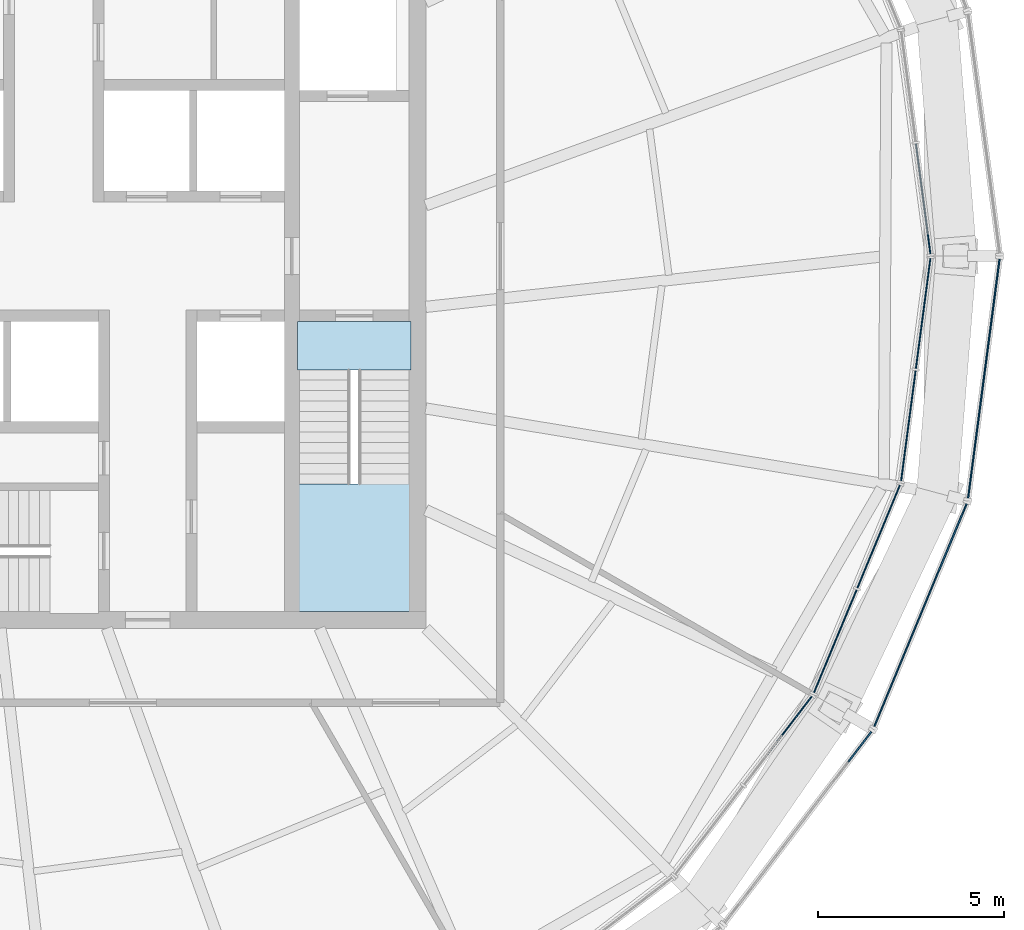
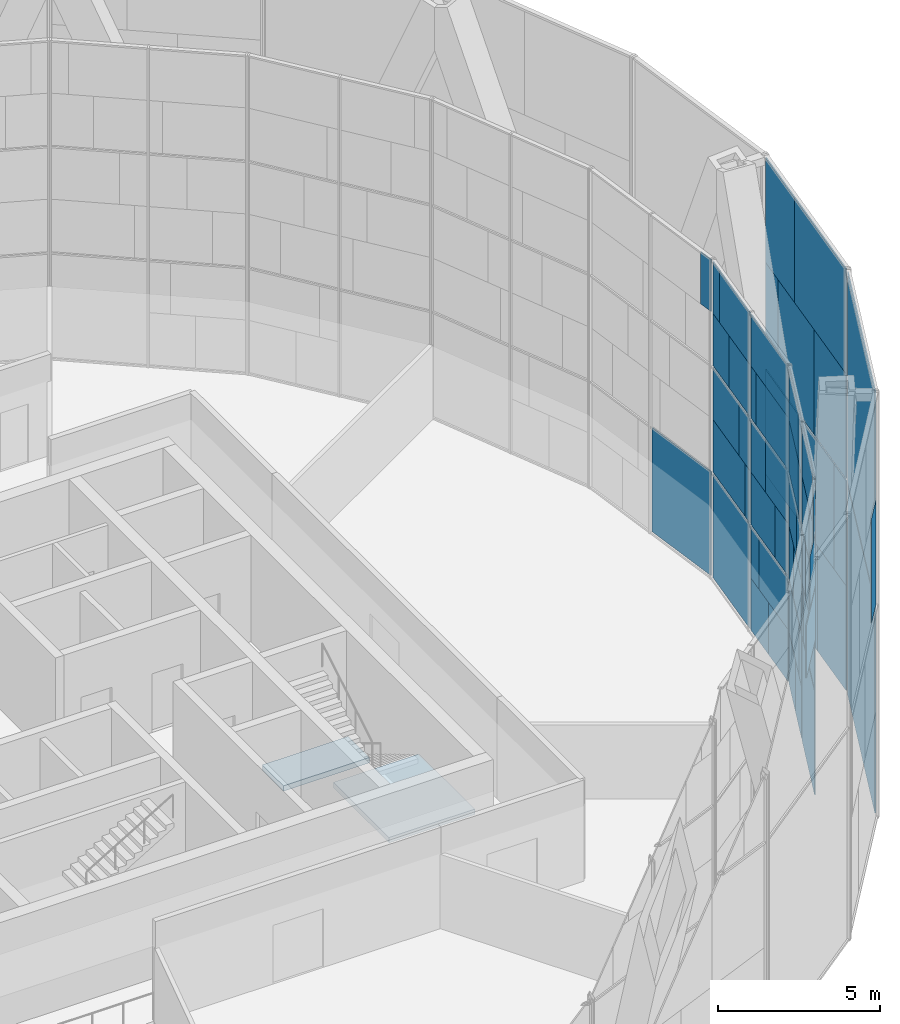
# One storey, part 17 of 26: 58 plates, 2 slabs, 8 elements without a shape of their own.
"""IFC4 building model written with IfcOpenShell, lengths in metres."""

import ifcopenshell
import ifcopenshell.guid

model = None  # the IFC model being written
_history = None  # IfcOwnerHistory: only IFC2X3 demands one
_inside = {}  # id of a spatial element -> (the spatial element, [elements in it])
_under = {}  # id of a project, library or spatial element -> (it, [spatial elements below it])
_declared = {}  # id of a project -> (the project, [libraries it declares])
_typed = {}  # id of a type object -> (the type object, [elements of that type])
_made_of = {}  # id of a material, layer set ... -> (it, [elements and type objects made of it])


def new_model(schema):
    """Start an empty IFC model of exactly this schema.

    Asked for "IFC4X3", IfcOpenShell would pick the latest addendum, in which some entities
    have other attributes; the version numbers below select the first issue.
    IFC2X3 requires an IfcOwnerHistory on every rooted entity: one is made here for all.
    """
    global model, _history
    if schema == "IFC4X3":
        model = ifcopenshell.file(schema_version=(4, 3, 0, 0))
    else:
        model = ifcopenshell.file(schema=schema)
    _inside.clear()
    _under.clear()
    _declared.clear()
    _typed.clear()
    _made_of.clear()
    _history = None
    if model.schema == "IFC2X3":
        org = make("IfcOrganization", Name="unknown")
        user = make(
            "IfcPersonAndOrganization",
            ThePerson=make("IfcPerson", FamilyName="unknown"),
            TheOrganization=org,
        )
        app = make(
            "IfcApplication",
            ApplicationDeveloper=org,
            Version="unknown",
            ApplicationFullName="unknown",
            ApplicationIdentifier="unknown",
        )
        _history = make(
            "IfcOwnerHistory",
            OwningUser=user,
            OwningApplication=app,
            ChangeAction="ADDED",
            CreationDate=0,
        )
    return model


def make(cls, **values):
    """One entity of the class cls with the attributes given. An attribute that is None is left unset."""
    return model.create_entity(
        cls, **{name: value for name, value in values.items() if value is not None}
    )


def rooted(cls, **values):
    """An entity with a GlobalId (a new one), such as an element, a storey or a relation."""
    return make(cls, GlobalId=ifcopenshell.guid.new(), OwnerHistory=_history, **values)


def si_unit(unit_type, name, prefix=None):
    """IfcSIUnit, for example si_unit("LENGTHUNIT", "METRE", prefix="MILLI")."""
    return make("IfcSIUnit", UnitType=unit_type, Prefix=prefix, Name=name)


def assignment(units):
    """IfcUnitAssignment: the units of a project."""
    return None if units is None else make("IfcUnitAssignment", Units=units)


def point(xyz):
    """IfcCartesianPoint."""
    return None if xyz is None else make("IfcCartesianPoint", Coordinates=xyz)


def direction(xyz):
    """IfcDirection."""
    return None if xyz is None else make("IfcDirection", DirectionRatios=xyz)


def frame(location, z_axis=None, x_axis=None):
    """IfcAxis2Placement3D, a coordinate frame: its origin and axes. An axis left out is left unset."""
    return make(
        "IfcAxis2Placement3D",
        Location=point(location),
        Axis=direction(z_axis),
        RefDirection=direction(x_axis),
    )


def frame_2d(location, x_axis=None):
    """IfcAxis2Placement2D, a coordinate frame in the plane: its origin and x axis."""
    return make(
        "IfcAxis2Placement2D", Location=point(location), RefDirection=direction(x_axis)
    )


def origin():
    """The frame at (0, 0, 0) with its axes left unset."""
    return frame((0.0, 0.0, 0.0))


def origin_2d():
    """The frame at (0, 0) in the plane with its x axis left unset."""
    return frame_2d((0.0, 0.0))


def place(relative_to, where):
    """IfcLocalPlacement: puts the frame where relative to a parent placement (None: the world)."""
    return make(
        "IfcLocalPlacement", PlacementRelTo=relative_to, RelativePlacement=where
    )


def context(
    kind, dimensions, precision=None, world=None, true_north=None, identifier=None
):
    """IfcGeometricRepresentationContext, for example the 3D "Model" context."""
    return make(
        "IfcGeometricRepresentationContext",
        ContextIdentifier=identifier,
        ContextType=kind,
        CoordinateSpaceDimension=dimensions,
        Precision=precision,
        WorldCoordinateSystem=world,
        TrueNorth=true_north,
    )


def subcontext(parent, identifier, kind, view, scale=None):
    """IfcGeometricRepresentationSubContext, for example "Body" below "Model"."""
    return make(
        "IfcGeometricRepresentationSubContext",
        ContextIdentifier=identifier,
        ContextType=kind,
        ParentContext=parent,
        TargetScale=scale,
        TargetView=view,
    )


def project(units=None, contexts=None):
    """IfcProject with its units and contexts."""
    return rooted(
        "IfcProject",
        Name="project",
        RepresentationContexts=contexts,
        UnitsInContext=assignment(units),
    )


def spatial(cls, under=None, at=None, **own):
    """A site, building, storey or space (cls), placed at a placement, below another one or the project."""
    s = rooted(cls, ObjectPlacement=at, **own)
    if under is not None:
        _under.setdefault(under.id(), (under, []))[1].append(s)
    return s


def polyline(points):
    """IfcPolyline through the points."""
    return make("IfcPolyline", Points=[point(p) for p in points])


def profile(cls, at=None, kind="AREA", **sizes):
    """A parametric profile (cls). Its sizes go by their IFC names, for example OverallWidth=200.0."""
    return make(cls, ProfileType=kind, Position=at, **sizes)


def rectangle(**sizes):
    """IfcRectangleProfileDef."""
    return profile("IfcRectangleProfileDef", **sizes)


def outline(outer, holes=None, kind="AREA"):
    """IfcArbitraryClosedProfileDef: a profile drawn as a closed curve; with holes, ...WithVoids."""
    if holes is None:
        return make("IfcArbitraryClosedProfileDef", ProfileType=kind, OuterCurve=outer)
    return make(
        "IfcArbitraryProfileDefWithVoids",
        ProfileType=kind,
        OuterCurve=outer,
        InnerCurves=holes,
    )


def extrude(swept, where, along, depth):
    """IfcExtrudedAreaSolid: the profile swept, set in the frame where, extruded along a direction by depth."""
    return make(
        "IfcExtrudedAreaSolid",
        SweptArea=swept,
        Position=where,
        ExtrudedDirection=direction(along),
        Depth=depth,
    )


def shape(context_of_items, identifier, shape_type, items):
    """IfcShapeRepresentation: the items that make up one representation, for example the "Body"."""
    return make(
        "IfcShapeRepresentation",
        ContextOfItems=context_of_items,
        RepresentationIdentifier=identifier,
        RepresentationType=shape_type,
        Items=items,
    )


def material(Name=None, Category=None):
    """IfcMaterial."""
    return make("IfcMaterial", Name=Name, Category=Category)


def layer(
    of_material, thickness, ventilated=None, Name=None, Category=None, Priority=None
):
    """IfcMaterialLayer: one layer of a wall or slab, of a material (None: an air gap)."""
    return make(
        "IfcMaterialLayer",
        Material=of_material,
        LayerThickness=thickness,
        IsVentilated=ventilated,
        Name=Name,
        Category=Category,
        Priority=Priority,
    )


def layer_set(layers, Name=None):
    """IfcMaterialLayerSet."""
    return make("IfcMaterialLayerSet", MaterialLayers=layers, LayerSetName=Name)


def made_of(thing, what):
    """Note that an element or type object is made of a material, layer set ...; save() writes the relation."""
    if what is not None:
        _made_of.setdefault(what.id(), (what, []))[1].append(thing)
    return thing


def type_object(cls, material=None, **own):
    """A type object (cls), such as IfcWallType, which elements share."""
    return made_of(rooted(cls, **own), material)


def element(
    cls,
    number,
    at=None,
    inside=None,
    cuts=None,
    type_object=None,
    material=None,
    context=None,
    identifier="Body",
    shape_type=None,
    held_by="IfcProductDefinitionShape",
    body=None,
    shapes=None,
    **own,
):
    """One element of the class cls, such as IfcWall. Its Tag is "e" and its number.

    at: its placement. inside: the storey or other place that contains it. cuts: it is an
    opening in that element (IfcRelVoidsElement). A single representation is given by context,
    identifier, shape_type and body (its items); several are given by shapes. held_by: the class
    of the entity that holds the representations. save() writes the other relations.
    """
    e = rooted(cls, Tag="e%d" % number, ObjectPlacement=at, **own)
    if body is not None:
        shapes = [shape(context, identifier, shape_type, body)]
    if shapes is not None:
        e.Representation = make(held_by, Representations=shapes)
    if inside is not None:
        _inside.setdefault(inside.id(), (inside, []))[1].append(e)
    if cuts is not None:
        rooted(
            "IfcRelVoidsElement", RelatingBuildingElement=cuts, RelatedOpeningElement=e
        )
    if type_object is not None:
        _typed.setdefault(type_object.id(), (type_object, []))[1].append(e)
    return made_of(e, material)


def aggregate(whole, parts):
    """IfcRelAggregates: a whole, such as a stair, and the parts it consists of."""
    return rooted("IfcRelAggregates", RelatingObject=whole, RelatedObjects=parts)


def save(model, path):
    """Write the relations noted so far, then the file.

    IfcRelAggregates (storeys below a building ...), IfcRelContainedInSpatialStructure (elements
    in a storey), IfcRelDefinesByType, IfcRelAssociatesMaterial and IfcRelDeclares: one each for
    every whole, place, type object, material and project.
    """
    for whole, parts in _under.values():
        aggregate(whole, parts)
    for where, things in _inside.values():
        rooted(
            "IfcRelContainedInSpatialStructure",
            RelatedElements=things,
            RelatingStructure=where,
        )
    for kind, things in _typed.values():
        rooted("IfcRelDefinesByType", RelatedObjects=things, RelatingType=kind)
    for what, things in _made_of.values():
        rooted("IfcRelAssociatesMaterial", RelatedObjects=things, RelatingMaterial=what)
    for by, libraries in _declared.values():
        rooted("IfcRelDeclares", RelatingContext=by, RelatedDefinitions=libraries)
    model.write(path)


model = new_model("IFC4")

# Units and contexts
model_context = context("Model", 3, precision=1e-05, world=origin(), true_north=direction((0.0, 1.0)))
body_context = subcontext(model_context, "Body", "Model", "MODEL_VIEW")
ifc_project = project(units=[si_unit("LENGTHUNIT", "METRE"), si_unit("AREAUNIT", "SQUARE_METRE"), si_unit("VOLUMEUNIT", "CUBIC_METRE"), si_unit("PLANEANGLEUNIT", "RADIAN"), si_unit("MASSUNIT", "GRAM", prefix="KILO")], contexts=[model_context])

# Site, building, storey
site_placement = place(None, origin())
site = spatial("IfcSite", under=ifc_project, at=site_placement, CompositionType="ELEMENT")
building_placement = place(site_placement, origin())
building = spatial("IfcBuilding", under=site, at=building_placement, Name="Golbaran Civic Tower", CompositionType="ELEMENT")
storey_placement = place(building_placement, frame((0.0, 0.0, 199.0)))
storey = spatial("IfcBuildingStorey", under=building, at=storey_placement, Name="L48", CompositionType="ELEMENT", Elevation=199.0)

# Curtain wall, plates
ifc_material_1 = material(Name="Aluminium and glass", Category="aluminium")
curtain_wall_type_1 = type_object("IfcCurtainWallType", Name="INNER SKIN CURTAIN WALL EXECUTIVE", PredefinedType="NOTDEFINED", material=ifc_material_1)
curtain_wall_1_placement = place(storey_placement, origin())
curtain_wall_1 = element("IfcCurtainWall", 1, at=curtain_wall_1_placement, inside=storey, type_object=curtain_wall_type_1, Name="Inner skin L48 facet 1 CW2", ObjectType="INNER SKIN", PredefinedType="USERDEFINED")
ifc_material_2 = material(Name="Clear insulating glass", Category="glass")
ifc_layer_1 = layer(ifc_material_2, 0.031982421875, Name="Clear insulating glass")
ifc_layer_set_1 = layer_set([ifc_layer_1], Name="Clear insulating glass")
plate_type_1 = type_object("IfcPlateType", Name="INNER SKIN CURTAIN WALL EXECUTIVE GLAZED PANEL", PredefinedType="CURTAIN_PANEL", material=ifc_layer_set_1)
plate_1_placement = place(storey_placement, frame((23.3642578125, 1.539794921875, 0.06005859375), z_axis=(0.0, 0.0, 1.0), x_axis=(-0.130526192237, 0.991444861372, 0.0)))
plate_1 = element("IfcPlate", 2, at=plate_1_placement, type_object=plate_type_1, Name="CW2 panel 1.1", PredefinedType="CURTAIN_PANEL", context=body_context, shape_type="SweptSolid", body=[
    extrude(rectangle(XDim=2.986083984375, YDim=0.031982421875, at=origin_2d()), origin(), (0.0, 0.0, 1.0), 3.909912109375),
])
plate_2_placement = place(storey_placement, frame((23.52490234375, 0.31982421875, 9.98486328125), z_axis=(0.0, 0.0, 1.0), x_axis=(-0.130526192237, 0.991444861372, 0.0)))
plate_2 = element("IfcPlate", 3, at=plate_2_placement, type_object=plate_type_1, Name="CW2 panel 1.3 part 3", PredefinedType="CURTAIN_PANEL", context=body_context, shape_type="SweptSolid", body=[
    extrude(rectangle(XDim=0.52490234375, YDim=0.031982421875, at=origin_2d()), origin(), (0.0, 0.0, 1.0), 1.955078125),
])
aggregate(curtain_wall_1, [plate_1, plate_2])

curtain_wall_2_placement = place(storey_placement, origin())
curtain_wall_2 = element("IfcCurtainWall", 4, at=curtain_wall_2_placement, inside=storey, type_object=curtain_wall_type_1, Name="Inner skin L48 facet 22 CW2", ObjectType="INNER SKIN", PredefinedType="USERDEFINED")
plate_3_placement = place(storey_placement, frame((19.731689453125, -12.6669921875, 6.0), z_axis=(0.0, 0.0, 1.0), x_axis=(0.60876142905, 0.793353340259, 0.0)))
plate_3 = element("IfcPlate", 5, at=plate_3_placement, type_object=plate_type_1, Name="CW2 panel 2.2 part 4", PredefinedType="CURTAIN_PANEL", context=body_context, shape_type="SweptSolid", body=[
    extrude(rectangle(XDim=2.107177734375, YDim=0.031982421875, at=origin_2d()), origin(), (0.0, 0.0, 1.0), 1.969970703125),
])
plate_4_placement = place(storey_placement, frame((19.97607421875, -12.348388671875, 8.030029296875), z_axis=(0.0, 0.0, 1.0), x_axis=(0.60876142905, 0.793353340259, 0.0)))
plate_4 = element("IfcPlate", 6, at=plate_4_placement, type_object=plate_type_1, Name="CW2 panel 2.3 part 2", PredefinedType="CURTAIN_PANEL", context=body_context, shape_type="SweptSolid", body=[
    extrude(rectangle(XDim=1.30419921875, YDim=0.031982421875, at=origin_2d()), origin(), (0.0, 0.0, 1.0), 1.955078125),
])
plate_5_placement = place(storey_placement, frame((20.21337890625, -12.039306640625, 9.98486328125), z_axis=(0.0, 0.0, 1.0), x_axis=(0.60876142905, 0.793353340259, 0.0)))
plate_5 = element("IfcPlate", 7, at=plate_5_placement, type_object=plate_type_1, Name="CW2 panel 2.3 part 4", PredefinedType="CURTAIN_PANEL", context=body_context, shape_type="SweptSolid", body=[
    extrude(rectangle(XDim=0.525146484375, YDim=0.031982421875, at=origin_2d()), origin(), (0.0, 0.0, 1.0), 1.955078125),
])
aggregate(curtain_wall_2, [plate_3, plate_4, plate_5])

curtain_wall_3_placement = place(storey_placement, origin())
curtain_wall_3 = element("IfcCurtainWall", 8, at=curtain_wall_3_placement, inside=storey, type_object=curtain_wall_type_1, Name="Inner skin L48 facet 23 CW2", ObjectType="INNER SKIN", PredefinedType="USERDEFINED")
plate_6_placement = place(storey_placement, frame((21.00390625, -10.3486328125, 0.06005859375), z_axis=(0.0, 0.0, 1.0), x_axis=(0.382683432349, 0.923879532518, 0.0)))
plate_6 = element("IfcPlate", 9, at=plate_6_placement, type_object=plate_type_1, Name="CW2 panel 1.1", PredefinedType="CURTAIN_PANEL", context=body_context, shape_type="SweptSolid", body=[
    extrude(rectangle(XDim=2.986083984375, YDim=0.031982421875, at=origin_2d()), origin(), (0.0, 0.0, 1.0), 3.909912109375),
])
plate_7_placement = place(storey_placement, frame((20.92724609375, -10.533935546875, 4.02978515625), z_axis=(0.0, 0.0, 1.0), x_axis=(0.382683432349, 0.923879532518, 0.0)))
plate_7 = element("IfcPlate", 10, at=plate_7_placement, type_object=plate_type_1, Name="CW2 panel 1.2 part 1", PredefinedType="CURTAIN_PANEL", context=body_context, shape_type="SweptSolid", body=[
    extrude(rectangle(XDim=2.5849609375, YDim=0.031982421875, at=origin_2d()), origin(), (0.0, 0.0, 1.0), 1.969970703125),
])
plate_8_placement = place(storey_placement, frame((20.835693359375, -10.754638671875, 6.0), z_axis=(0.0, 0.0, 1.0), x_axis=(0.382683432349, 0.923879532518, 0.0)))
plate_8 = element("IfcPlate", 11, at=plate_8_placement, type_object=plate_type_1, Name="CW2 panel 1.2 part 3", PredefinedType="CURTAIN_PANEL", context=body_context, shape_type="SweptSolid", body=[
    extrude(rectangle(XDim=2.10693359375, YDim=0.031982421875, at=origin_2d()), origin(), (0.0, 0.0, 1.0), 1.969970703125),
])
plate_9_placement = place(storey_placement, frame((20.68212890625, -11.125732421875, 8.030029296875), z_axis=(0.0, 0.0, 1.0), x_axis=(0.382683432349, 0.923879532518, 0.0)))
plate_9 = element("IfcPlate", 12, at=plate_9_placement, type_object=plate_type_1, Name="CW2 panel 1.3 part 1", PredefinedType="CURTAIN_PANEL", context=body_context, shape_type="SweptSolid", body=[
    extrude(rectangle(XDim=1.303955078125, YDim=0.031982421875, at=origin_2d()), origin(), (0.0, 0.0, 1.0), 1.955078125),
])
plate_10_placement = place(storey_placement, frame((20.532958984375, -11.485595703125, 9.98486328125), z_axis=(0.0, 0.0, 1.0), x_axis=(0.382683432349, 0.923879532518, 0.0)))
plate_10 = element("IfcPlate", 13, at=plate_10_placement, type_object=plate_type_1, Name="CW2 panel 1.3 part 3", PredefinedType="CURTAIN_PANEL", context=body_context, shape_type="SweptSolid", body=[
    extrude(rectangle(XDim=0.52490234375, YDim=0.031982421875, at=origin_2d()), origin(), (0.0, 0.0, 1.0), 1.955078125),
])
plate_11_placement = place(storey_placement, frame((21.87255859375, -8.251953125, 0.06005859375), z_axis=(0.0, 0.0, 1.0), x_axis=(0.382683432349, 0.923879532518, 0.0)))
plate_11 = element("IfcPlate", 14, at=plate_11_placement, type_object=plate_type_1, Name="CW2 panel 2.1 part 1", PredefinedType="CURTAIN_PANEL", context=body_context, shape_type="SweptSolid", body=[
    extrude(rectangle(XDim=1.43310546875, YDim=0.031982421875, at=origin_2d()), origin(), (0.0, 0.0, 1.0), 1.955078125),
])
plate_12_placement = place(storey_placement, frame((21.723388671875, -8.61181640625, 2.014892578125), z_axis=(0.0, 0.0, 1.0), x_axis=(0.382683432349, 0.923879532518, 0.0)))
plate_12 = element("IfcPlate", 15, at=plate_12_placement, type_object=plate_type_1, Name="CW2 panel 2.1 part 3", PredefinedType="CURTAIN_PANEL", context=body_context, shape_type="SweptSolid", body=[
    extrude(rectangle(XDim=0.654052734375, YDim=0.031982421875, at=origin_2d()), origin(), (0.0, 0.0, 1.0), 1.955078125),
])
plate_13_placement = place(storey_placement, frame((22.54248046875, -6.634033203125, 4.02978515625), z_axis=(0.0, 0.0, 1.0), x_axis=(0.382683432349, 0.923879532518, 0.0)))
plate_13 = element("IfcPlate", 16, at=plate_13_placement, type_object=plate_type_1, Name="CW2 panel 2.2 part 2", PredefinedType="CURTAIN_PANEL", context=body_context, shape_type="SweptSolid", body=[
    extrude(rectangle(XDim=1.037109375, YDim=0.031982421875, at=origin_2d()), origin(), (0.0, 0.0, 1.0), 1.969970703125),
])
plate_14_placement = place(storey_placement, frame((22.392333984375, -6.996826171875, 6.0), z_axis=(0.0, 0.0, 1.0), x_axis=(0.382683432349, 0.923879532518, 0.0)))
plate_14 = element("IfcPlate", 17, at=plate_14_placement, type_object=plate_type_1, Name="CW2 panel 2.2 part 4", PredefinedType="CURTAIN_PANEL", context=body_context, shape_type="SweptSolid", body=[
    extrude(rectangle(XDim=1.822021484375, YDim=0.031982421875, at=origin_2d()), origin(), (0.0, 0.0, 1.0), 1.969970703125),
])
plate_15_placement = place(storey_placement, frame((22.24609375, -7.349609375, 8.030029296875), z_axis=(0.0, 0.0, 1.0), x_axis=(0.382683432349, 0.923879532518, 0.0)))
plate_15 = element("IfcPlate", 18, at=plate_15_placement, type_object=plate_type_1, Name="CW2 panel 2.3 part 2", PredefinedType="CURTAIN_PANEL", context=body_context, shape_type="SweptSolid", body=[
    extrude(rectangle(XDim=2.586181640625, YDim=0.031982421875, at=origin_2d()), origin(), (0.0, 0.0, 1.0), 1.955078125),
])
plate_16_placement = place(storey_placement, frame((22.169677734375, -7.534423828125, 9.98486328125), z_axis=(0.0, 0.0, 1.0), x_axis=(0.382683432349, 0.923879532518, 0.0)))
plate_16 = element("IfcPlate", 19, at=plate_16_placement, type_object=plate_type_1, Name="CW2 panel 2.3 part 3", PredefinedType="CURTAIN_PANEL", context=body_context, shape_type="SweptSolid", body=[
    extrude(rectangle(XDim=2.986083984375, YDim=0.031982421875, at=origin_2d()), origin(), (0.0, 0.0, 1.0), 1.955078125),
])

curtain_wall_4_placement = place(storey_placement, origin())
curtain_wall_4 = element("IfcCurtainWall", 20, at=curtain_wall_4_placement, inside=storey, type_object=curtain_wall_type_1, Name="Inner skin L48 facet 24 CW2", ObjectType="INNER SKIN", PredefinedType="USERDEFINED")
plate_17_placement = place(storey_placement, frame((23.068115234375, -3.7900390625, 0.06005859375), z_axis=(0.0, 0.0, 1.0), x_axis=(0.130526192237, 0.991444861372, 0.0)))
plate_17 = element("IfcPlate", 21, at=plate_17_placement, type_object=plate_type_1, Name="CW2 panel 1.1 part 2", PredefinedType="CURTAIN_PANEL", context=body_context, shape_type="SweptSolid", body=[
    extrude(rectangle(XDim=1.43310546875, YDim=0.031982421875, at=origin_2d()), origin(), (0.0, 0.0, 1.0), 1.955078125),
])
plate_18_placement = place(storey_placement, frame((23.118896484375, -3.40380859375, 2.014892578125), z_axis=(0.0, 0.0, 1.0), x_axis=(0.130526192237, 0.991444861372, 0.0)))
plate_18 = element("IfcPlate", 22, at=plate_18_placement, type_object=plate_type_1, Name="CW2 panel 1.1 part 4", PredefinedType="CURTAIN_PANEL", context=body_context, shape_type="SweptSolid", body=[
    extrude(rectangle(XDim=0.654052734375, YDim=0.031982421875, at=origin_2d()), origin(), (0.0, 0.0, 1.0), 1.955078125),
])
plate_19_placement = place(storey_placement, frame((22.839599609375, -5.526123046875, 4.02978515625), z_axis=(0.0, 0.0, 1.0), x_axis=(0.130526192237, 0.991444861372, 0.0)))
plate_19 = element("IfcPlate", 23, at=plate_19_placement, type_object=plate_type_1, Name="CW2 panel 1.2 part 1", PredefinedType="CURTAIN_PANEL", context=body_context, shape_type="SweptSolid", body=[
    extrude(rectangle(XDim=1.037109375, YDim=0.031982421875, at=origin_2d()), origin(), (0.0, 0.0, 1.0), 1.969970703125),
])
plate_20_placement = place(storey_placement, frame((22.890625, -5.136962890625, 6.0), z_axis=(0.0, 0.0, 1.0), x_axis=(0.130526192237, 0.991444861372, 0.0)))
plate_20 = element("IfcPlate", 24, at=plate_20_placement, type_object=plate_type_1, Name="CW2 panel 1.2 part 3", PredefinedType="CURTAIN_PANEL", context=body_context, shape_type="SweptSolid", body=[
    extrude(rectangle(XDim=1.822021484375, YDim=0.031982421875, at=origin_2d()), origin(), (0.0, 0.0, 1.0), 1.969970703125),
])
plate_21_placement = place(storey_placement, frame((22.9404296875, -4.758544921875, 8.030029296875), z_axis=(0.0, 0.0, 1.0), x_axis=(0.130526192237, 0.991444861372, 0.0)))
plate_21 = element("IfcPlate", 25, at=plate_21_placement, type_object=plate_type_1, Name="CW2 panel 1.3 part 1", PredefinedType="CURTAIN_PANEL", context=body_context, shape_type="SweptSolid", body=[
    extrude(rectangle(XDim=2.5849609375, YDim=0.031982421875, at=origin_2d()), origin(), (0.0, 0.0, 1.0), 1.955078125),
])
plate_22_placement = place(storey_placement, frame((22.966796875, -4.559814453125, 9.98486328125), z_axis=(0.0, 0.0, 1.0), x_axis=(0.130526192237, 0.991444861372, 0.0)))
plate_22 = element("IfcPlate", 26, at=plate_22_placement, type_object=plate_type_1, Name="CW2 panel 1.3 part 3", PredefinedType="CURTAIN_PANEL", context=body_context, shape_type="SweptSolid", body=[
    extrude(rectangle(XDim=2.986083984375, YDim=0.031982421875, at=origin_2d()), origin(), (0.0, 0.0, 1.0), 1.955078125),
])
plate_23_placement = place(storey_placement, frame((23.3642578125, -1.539794921875, 0.06005859375), z_axis=(0.0, 0.0, 1.0), x_axis=(0.130526192237, 0.991444861372, 0.0)))
plate_23 = element("IfcPlate", 27, at=plate_23_placement, type_object=plate_type_1, Name="CW2 panel 2.1", PredefinedType="CURTAIN_PANEL", context=body_context, shape_type="SweptSolid", body=[
    extrude(rectangle(XDim=2.986083984375, YDim=0.031982421875, at=origin_2d()), origin(), (0.0, 0.0, 1.0), 3.909912109375),
])
plate_24_placement = place(storey_placement, frame((23.390380859375, -1.341552734375, 4.02978515625), z_axis=(0.0, 0.0, 1.0), x_axis=(0.130526192237, 0.991444861372, 0.0)))
plate_24 = element("IfcPlate", 28, at=plate_24_placement, type_object=plate_type_1, Name="CW2 panel 2.2 part 2", PredefinedType="CURTAIN_PANEL", context=body_context, shape_type="SweptSolid", body=[
    extrude(rectangle(XDim=2.586181640625, YDim=0.031982421875, at=origin_2d()), origin(), (0.0, 0.0, 1.0), 1.969970703125),
])
plate_25_placement = place(storey_placement, frame((23.421630859375, -1.10400390625, 6.0), z_axis=(0.0, 0.0, 1.0), x_axis=(0.130526192237, 0.991444861372, 0.0)))
plate_25 = element("IfcPlate", 29, at=plate_25_placement, type_object=plate_type_1, Name="CW2 panel 2.2 part 4", PredefinedType="CURTAIN_PANEL", context=body_context, shape_type="SweptSolid", body=[
    extrude(rectangle(XDim=2.107177734375, YDim=0.031982421875, at=origin_2d()), origin(), (0.0, 0.0, 1.0), 1.969970703125),
])
plate_26_placement = place(storey_placement, frame((23.47412109375, -0.7060546875, 8.030029296875), z_axis=(0.0, 0.0, 1.0), x_axis=(0.130526192237, 0.991444861372, 0.0)))
plate_26 = element("IfcPlate", 30, at=plate_26_placement, type_object=plate_type_1, Name="CW2 panel 2.3 part 2", PredefinedType="CURTAIN_PANEL", context=body_context, shape_type="SweptSolid", body=[
    extrude(rectangle(XDim=1.30419921875, YDim=0.031982421875, at=origin_2d()), origin(), (0.0, 0.0, 1.0), 1.955078125),
])
plate_27_placement = place(storey_placement, frame((23.52490234375, -0.31982421875, 9.98486328125), z_axis=(0.0, 0.0, 1.0), x_axis=(0.130526192237, 0.991444861372, 0.0)))
plate_27 = element("IfcPlate", 31, at=plate_27_placement, type_object=plate_type_1, Name="CW2 panel 2.3 part 4", PredefinedType="CURTAIN_PANEL", context=body_context, shape_type="SweptSolid", body=[
    extrude(rectangle(XDim=0.525146484375, YDim=0.031982421875, at=origin_2d()), origin(), (0.0, 0.0, 1.0), 1.955078125),
])

# Plate
ifc_material_3 = material(Name="Aluminium faced opaque infill panel", Category="aluminium")
ifc_layer_2 = layer(ifc_material_3, 0.031982421875, Name="Aluminium faced opaque infill panel")
ifc_layer_set_2 = layer_set([ifc_layer_2], Name="Aluminium faced opaque infill panel")
plate_type_2 = type_object("IfcPlateType", Name="INNER SKIN CURTAIN WALL EXECUTIVE OPAQUE INFILL PANEL", PredefinedType="CURTAIN_PANEL", material=ifc_layer_set_2)
plate_28_placement = place(storey_placement, frame((21.49853515625, -9.154541015625, 4.02978515625), z_axis=(0.0, 0.0, 1.0), x_axis=(0.382683432349, 0.923879532518, 0.0)))
plate_28 = element("IfcPlate", 32, at=plate_28_placement, type_object=plate_type_2, Name="CW2 infill panel 1.2 part 2", PredefinedType="CURTAIN_PANEL", context=body_context, shape_type="SweptSolid", body=[
    extrude(rectangle(XDim=0.401123046875, YDim=0.031982421875, at=origin_2d()), origin(), (0.0, 0.0, 1.0), 1.969970703125),
])

plate_29_placement = place(storey_placement, frame((21.4072265625, -9.375244140625, 6.0), z_axis=(0.0, 0.0, 1.0), x_axis=(0.382683432349, 0.923879532518, 0.0)))
plate_29 = element("IfcPlate", 33, at=plate_29_placement, type_object=plate_type_2, Name="CW2 infill panel 1.2 part 4", PredefinedType="CURTAIN_PANEL", context=body_context, shape_type="SweptSolid", body=[
    extrude(rectangle(XDim=0.879150390625, YDim=0.031982421875, at=origin_2d()), origin(), (0.0, 0.0, 1.0), 1.969970703125),
])

plate_30_placement = place(storey_placement, frame((21.25341796875, -9.746337890625, 8.030029296875), z_axis=(0.0, 0.0, 1.0), x_axis=(0.382683432349, 0.923879532518, 0.0)))
plate_30 = element("IfcPlate", 34, at=plate_30_placement, type_object=plate_type_2, Name="CW2 infill panel 1.3 part 2", PredefinedType="CURTAIN_PANEL", context=body_context, shape_type="SweptSolid", body=[
    extrude(rectangle(XDim=1.68212890625, YDim=0.031982421875, at=origin_2d()), origin(), (0.0, 0.0, 1.0), 1.955078125),
])

plate_31_placement = place(storey_placement, frame((21.1044921875, -10.106201171875, 9.98486328125), z_axis=(0.0, 0.0, 1.0), x_axis=(0.382683432349, 0.923879532518, 0.0)))
plate_31 = element("IfcPlate", 35, at=plate_31_placement, type_object=plate_type_2, Name="CW2 infill panel 1.3 part 4", PredefinedType="CURTAIN_PANEL", context=body_context, shape_type="SweptSolid", body=[
    extrude(rectangle(XDim=2.461181640625, YDim=0.031982421875, at=origin_2d()), origin(), (0.0, 0.0, 1.0), 1.955078125),
])

plate_32_placement = place(storey_placement, frame((22.44384765625, -6.87255859375, 0.06005859375), z_axis=(0.0, 0.0, 1.0), x_axis=(0.382683432349, 0.923879532518, 0.0)))
plate_32 = element("IfcPlate", 36, at=plate_32_placement, type_object=plate_type_2, Name="CW2 infill panel 2.1 part 2", PredefinedType="CURTAIN_PANEL", context=body_context, shape_type="SweptSolid", body=[
    extrude(rectangle(XDim=1.55322265625, YDim=0.031982421875, at=origin_2d()), origin(), (0.0, 0.0, 1.0), 1.955078125),
])

plate_33_placement = place(storey_placement, frame((22.294677734375, -7.232421875, 2.014892578125), z_axis=(0.0, 0.0, 1.0), x_axis=(0.382683432349, 0.923879532518, 0.0)))
plate_33 = element("IfcPlate", 37, at=plate_33_placement, type_object=plate_type_2, Name="CW2 infill panel 2.1 part 4", PredefinedType="CURTAIN_PANEL", context=body_context, shape_type="SweptSolid", body=[
    extrude(rectangle(XDim=2.33203125, YDim=0.031982421875, at=origin_2d()), origin(), (0.0, 0.0, 1.0), 1.955078125),
])

plate_34_placement = place(storey_placement, frame((21.97119140625, -8.013427734375, 4.02978515625), z_axis=(0.0, 0.0, 1.0), x_axis=(0.382683432349, 0.923879532518, 0.0)))
plate_34 = element("IfcPlate", 38, at=plate_34_placement, type_object=plate_type_2, Name="CW2 infill panel 2.2 part 1", PredefinedType="CURTAIN_PANEL", context=body_context, shape_type="SweptSolid", body=[
    extrude(rectangle(XDim=1.948974609375, YDim=0.031982421875, at=origin_2d()), origin(), (0.0, 0.0, 1.0), 1.969970703125),
])

plate_35_placement = place(storey_placement, frame((21.821044921875, -8.376220703125, 6.0), z_axis=(0.0, 0.0, 1.0), x_axis=(0.382683432349, 0.923879532518, 0.0)))
plate_35 = element("IfcPlate", 39, at=plate_35_placement, type_object=plate_type_2, Name="CW2 infill panel 2.2 part 3", PredefinedType="CURTAIN_PANEL", context=body_context, shape_type="SweptSolid", body=[
    extrude(rectangle(XDim=1.1640625, YDim=0.031982421875, at=origin_2d()), origin(), (0.0, 0.0, 1.0), 1.969970703125),
])

plate_36_placement = place(storey_placement, frame((21.6748046875, -8.72900390625, 8.030029296875), z_axis=(0.0, 0.0, 1.0), x_axis=(0.382683432349, 0.923879532518, 0.0)))
plate_36 = element("IfcPlate", 40, at=plate_36_placement, type_object=plate_type_2, Name="CW2 infill panel 2.3 part 1", PredefinedType="CURTAIN_PANEL", context=body_context, shape_type="SweptSolid", body=[
    extrude(rectangle(XDim=0.39990234375, YDim=0.031982421875, at=origin_2d()), origin(), (0.0, 0.0, 1.0), 1.955078125),
])

aggregate(curtain_wall_3, [plate_6, plate_7, plate_28, plate_8, plate_29, plate_9, plate_30, plate_10, plate_31, plate_11, plate_32, plate_12, plate_33, plate_34, plate_13, plate_35, plate_14, plate_36, plate_15, plate_16])

plate_37_placement = place(storey_placement, frame((22.873046875, -5.270263671875, 0.06005859375), z_axis=(0.0, 0.0, 1.0), x_axis=(0.130526192237, 0.991444861372, 0.0)))
plate_37 = element("IfcPlate", 41, at=plate_37_placement, type_object=plate_type_2, Name="CW2 infill panel 1.1 part 1", PredefinedType="CURTAIN_PANEL", context=body_context, shape_type="SweptSolid", body=[
    extrude(rectangle(XDim=1.552978515625, YDim=0.031982421875, at=origin_2d()), origin(), (0.0, 0.0, 1.0), 1.955078125),
])

plate_38_placement = place(storey_placement, frame((22.924072265625, -4.884033203125, 2.014892578125), z_axis=(0.0, 0.0, 1.0), x_axis=(0.130526192237, 0.991444861372, 0.0)))
plate_38 = element("IfcPlate", 42, at=plate_38_placement, type_object=plate_type_2, Name="CW2 infill panel 1.1 part 3", PredefinedType="CURTAIN_PANEL", context=body_context, shape_type="SweptSolid", body=[
    extrude(rectangle(XDim=2.33203125, YDim=0.031982421875, at=origin_2d()), origin(), (0.0, 0.0, 1.0), 1.955078125),
])

plate_39_placement = place(storey_placement, frame((23.034423828125, -4.045654296875, 4.02978515625), z_axis=(0.0, 0.0, 1.0), x_axis=(0.130526192237, 0.991444861372, 0.0)))
plate_39 = element("IfcPlate", 43, at=plate_39_placement, type_object=plate_type_2, Name="CW2 infill panel 1.2 part 2", PredefinedType="CURTAIN_PANEL", context=body_context, shape_type="SweptSolid", body=[
    extrude(rectangle(XDim=1.94921875, YDim=0.031982421875, at=origin_2d()), origin(), (0.0, 0.0, 1.0), 1.969970703125),
])

plate_40_placement = place(storey_placement, frame((23.085693359375, -3.656494140625, 6.0), z_axis=(0.0, 0.0, 1.0), x_axis=(0.130526192237, 0.991444861372, 0.0)))
plate_40 = element("IfcPlate", 44, at=plate_40_placement, type_object=plate_type_2, Name="CW2 infill panel 1.2 part 4", PredefinedType="CURTAIN_PANEL", context=body_context, shape_type="SweptSolid", body=[
    extrude(rectangle(XDim=1.1640625, YDim=0.031982421875, at=origin_2d()), origin(), (0.0, 0.0, 1.0), 1.969970703125),
])

plate_41_placement = place(storey_placement, frame((23.135498046875, -3.2783203125, 8.030029296875), z_axis=(0.0, 0.0, 1.0), x_axis=(0.130526192237, 0.991444861372, 0.0)))
plate_41 = element("IfcPlate", 45, at=plate_41_placement, type_object=plate_type_2, Name="CW2 infill panel 1.3 part 2", PredefinedType="CURTAIN_PANEL", context=body_context, shape_type="SweptSolid", body=[
    extrude(rectangle(XDim=0.401123046875, YDim=0.031982421875, at=origin_2d()), origin(), (0.0, 0.0, 1.0), 1.955078125),
])

plate_42_placement = place(storey_placement, frame((23.195556640625, -2.82177734375, 4.02978515625), z_axis=(0.0, 0.0, 1.0), x_axis=(0.130526192237, 0.991444861372, 0.0)))
plate_42 = element("IfcPlate", 46, at=plate_42_placement, type_object=plate_type_2, Name="CW2 infill panel 2.2 part 1", PredefinedType="CURTAIN_PANEL", context=body_context, shape_type="SweptSolid", body=[
    extrude(rectangle(XDim=0.39990234375, YDim=0.031982421875, at=origin_2d()), origin(), (0.0, 0.0, 1.0), 1.969970703125),
])

plate_43_placement = place(storey_placement, frame((23.226806640625, -2.584228515625, 6.0), z_axis=(0.0, 0.0, 1.0), x_axis=(0.130526192237, 0.991444861372, 0.0)))
plate_43 = element("IfcPlate", 47, at=plate_43_placement, type_object=plate_type_2, Name="CW2 infill panel 2.2 part 3", PredefinedType="CURTAIN_PANEL", context=body_context, shape_type="SweptSolid", body=[
    extrude(rectangle(XDim=0.87890625, YDim=0.031982421875, at=origin_2d()), origin(), (0.0, 0.0, 1.0), 1.969970703125),
])

plate_44_placement = place(storey_placement, frame((23.279296875, -2.186279296875, 8.030029296875), z_axis=(0.0, 0.0, 1.0), x_axis=(0.130526192237, 0.991444861372, 0.0)))
plate_44 = element("IfcPlate", 48, at=plate_44_placement, type_object=plate_type_2, Name="CW2 infill panel 2.3 part 1", PredefinedType="CURTAIN_PANEL", context=body_context, shape_type="SweptSolid", body=[
    extrude(rectangle(XDim=1.681884765625, YDim=0.031982421875, at=origin_2d()), origin(), (0.0, 0.0, 1.0), 1.955078125),
])

plate_45_placement = place(storey_placement, frame((23.330078125, -1.800048828125, 9.98486328125), z_axis=(0.0, 0.0, 1.0), x_axis=(0.130526192237, 0.991444861372, 0.0)))
plate_45 = element("IfcPlate", 49, at=plate_45_placement, type_object=plate_type_2, Name="CW2 infill panel 2.3 part 3", PredefinedType="CURTAIN_PANEL", context=body_context, shape_type="SweptSolid", body=[
    extrude(rectangle(XDim=2.4609375, YDim=0.031982421875, at=origin_2d()), origin(), (0.0, 0.0, 1.0), 1.955078125),
])

aggregate(curtain_wall_4, [plate_37, plate_17, plate_38, plate_18, plate_19, plate_39, plate_20, plate_40, plate_21, plate_41, plate_22, plate_23, plate_42, plate_24, plate_43, plate_25, plate_44, plate_26, plate_45, plate_27])

# Curtain wall, plate
curtain_wall_type_2 = type_object("IfcCurtainWallType", Name="OUTER SKIN TERRACOTTA SCREEN", PredefinedType="NOTDEFINED", material=ifc_material_1)
curtain_wall_5_placement = place(storey_placement, origin())
curtain_wall_5 = element("IfcCurtainWall", 50, at=curtain_wall_5_placement, inside=storey, type_object=curtain_wall_type_2, Name="Outer skin L48 facet 22 CW3", ObjectType="OUTER SKIN", PredefinedType="USERDEFINED")
ifc_material_4 = material(Name="Clear laminated glass", Category="glass")
ifc_layer_3 = layer(ifc_material_4, 0.0400390625, Name="Clear laminated glass")
ifc_layer_set_3 = layer_set([ifc_layer_3], Name="Clear laminated glass")
plate_type_3 = type_object("IfcPlateType", Name="OUTER SKIN CLEAR GLASS PANEL", PredefinedType="CURTAIN_PANEL", material=ifc_layer_set_3)
plate_46_placement = place(storey_placement, frame((21.66357421875, -13.18017578125, 7.330078125), z_axis=(0.0, 0.0, 1.0), x_axis=(0.608761428967, 0.793353340323, 0.0)))
plate_46 = element("IfcPlate", 51, at=plate_46_placement, type_object=plate_type_3, Name="CW3 panel 1.2 part 3", PredefinedType="CURTAIN_PANEL", context=body_context, shape_type="SweptSolid", body=[
    extrude(rectangle(XDim=1.01513671875, YDim=0.0400390625, at=origin_2d()), origin(), (0.0, 0.0, 1.0), 3.93994140625),
])
aggregate(curtain_wall_5, [plate_46])

# Curtain wall, plates
curtain_wall_6_placement = place(storey_placement, origin())
curtain_wall_6 = element("IfcCurtainWall", 52, at=curtain_wall_6_placement, inside=storey, type_object=curtain_wall_type_2, Name="Outer skin L48 facet 24 CW3", ObjectType="OUTER SKIN", PredefinedType="USERDEFINED")
plate_47_placement = place(storey_placement, frame((25.144287109375, -2.154541015625, -0.6298828125), z_axis=(0.0, 0.0, 1.0), x_axis=(0.130526192203, 0.991444861376, 0.0)))
plate_47 = element("IfcPlate", 53, at=plate_47_placement, type_object=plate_type_3, Name="CW3 panel 1.1 part 2", PredefinedType="CURTAIN_PANEL", context=body_context, shape_type="SweptSolid", body=[
    extrude(rectangle(XDim=4.18603515625, YDim=0.0400390625, at=origin_2d()), origin(), (0.0, 0.0, 1.0), 3.93994140625),
])
plate_48_placement = place(storey_placement, frame((24.635498046875, -6.01953125, 3.31005859375), z_axis=(0.0, 0.0, 1.0), x_axis=(0.130526192203, 0.991444861376, 0.0)))
plate_48 = element("IfcPlate", 54, at=plate_48_placement, type_object=plate_type_3, Name="CW3 panel 1.1 part 3", PredefinedType="CURTAIN_PANEL", context=body_context, shape_type="SweptSolid", body=[
    extrude(rectangle(XDim=0.972900390625, YDim=0.0400390625, at=origin_2d()), origin(), (0.0, 0.0, 1.0), 3.93994140625),
])
plate_49_placement = place(storey_placement, frame((25.246826171875, -1.376708984375, 3.31005859375), z_axis=(0.0, 0.0, 1.0), x_axis=(0.130526192203, 0.991444861376, 0.0)))
plate_49 = element("IfcPlate", 55, at=plate_49_placement, type_object=plate_type_3, Name="CW3 panel 1.1 part 5", PredefinedType="CURTAIN_PANEL", context=body_context, shape_type="SweptSolid", body=[
    extrude(rectangle(XDim=2.616943359375, YDim=0.0400390625, at=origin_2d()), origin(), (0.0, 0.0, 1.0), 3.93994140625),
])
plate_50_placement = place(storey_placement, frame((24.740234375, -5.224853515625, 7.330078125), z_axis=(0.0, 0.0, 1.0), x_axis=(0.130526192203, 0.991444861376, 0.0)))
plate_50 = element("IfcPlate", 56, at=plate_50_placement, type_object=plate_type_3, Name="CW3 panel 1.2 part 1", PredefinedType="CURTAIN_PANEL", context=body_context, shape_type="SweptSolid", body=[
    extrude(rectangle(XDim=2.575927734375, YDim=0.0400390625, at=origin_2d()), origin(), (0.0, 0.0, 1.0), 3.93994140625),
])
plate_51_placement = place(storey_placement, frame((25.351318359375, -0.58251953125, 7.330078125), z_axis=(0.0, 0.0, 1.0), x_axis=(0.130526192203, 0.991444861376, 0.0)))
plate_51 = element("IfcPlate", 57, at=plate_51_placement, type_object=plate_type_3, Name="CW3 panel 1.2 part 3", PredefinedType="CURTAIN_PANEL", context=body_context, shape_type="SweptSolid", body=[
    extrude(rectangle(XDim=1.01513671875, YDim=0.0400390625, at=origin_2d()), origin(), (0.0, 0.0, 1.0), 3.93994140625),
])
plate_52_placement = place(storey_placement, frame((24.8427734375, -4.445068359375, 11.27001953125), z_axis=(0.0, 0.0, 1.0), x_axis=(0.130526192203, 0.991444861376, 0.0)))
plate_52 = element("IfcPlate", 58, at=plate_52_placement, type_object=plate_type_3, Name="CW3 panel 1.2 part 4", PredefinedType="CURTAIN_PANEL", context=body_context, shape_type="SweptSolid", body=[
    extrude(rectangle(XDim=4.14892578125, YDim=0.0400390625, at=origin_2d()), origin(), (0.0, 0.0, 1.0), 3.93994140625),
])
ifc_material_5 = material(Name="Terracotta baguette screen", Category="masonry")
ifc_layer_4 = layer(ifc_material_5, 0.0400390625, Name="Terracotta baguette screen")
ifc_layer_set_4 = layer_set([ifc_layer_4], Name="Terracotta baguette screen")
plate_type_4 = type_object("IfcPlateType", Name="OUTER SKIN TERRACOTTA INFILL PANEL", PredefinedType="CURTAIN_PANEL", material=ifc_layer_set_4)
plate_53_placement = place(storey_placement, frame((24.7216796875, -5.36572265625, -0.6298828125), z_axis=(0.0, 0.0, 1.0), x_axis=(0.130526192203, 0.991444861376, 0.0)))
plate_53 = element("IfcPlate", 59, at=plate_53_placement, type_object=plate_type_4, Name="CW3 infill panel 1.1 part 1", PredefinedType="CURTAIN_PANEL", context=body_context, shape_type="SweptSolid", body=[
    extrude(rectangle(XDim=2.2919921875, YDim=0.0400390625, at=origin_2d()), origin(), (0.0, 0.0, 1.0), 3.93994140625),
])
plate_54_placement = place(storey_placement, frame((24.887451171875, -4.105712890625, 3.31005859375), z_axis=(0.0, 0.0, 1.0), x_axis=(0.130526192203, 0.991444861376, 0.0)))
plate_54 = element("IfcPlate", 60, at=plate_54_placement, type_object=plate_type_4, Name="CW3 infill panel 1.1 part 4", PredefinedType="CURTAIN_PANEL", context=body_context, shape_type="SweptSolid", body=[
    extrude(rectangle(XDim=2.887939453125, YDim=0.0400390625, at=origin_2d()), origin(), (0.0, 0.0, 1.0), 3.93994140625),
])
plate_55_placement = place(storey_placement, frame((25.0966796875, -2.516845703125, 7.330078125), z_axis=(0.0, 0.0, 1.0), x_axis=(0.130526192203, 0.991444861376, 0.0)))
plate_55 = element("IfcPlate", 61, at=plate_55_placement, type_object=plate_type_4, Name="CW3 infill panel 1.2 part 2", PredefinedType="CURTAIN_PANEL", context=body_context, shape_type="SweptSolid", body=[
    extrude(rectangle(XDim=2.886962890625, YDim=0.0400390625, at=origin_2d()), origin(), (0.0, 0.0, 1.0), 3.93994140625),
])
plate_56_placement = place(storey_placement, frame((25.265625, -1.23388671875, 11.27001953125), z_axis=(0.0, 0.0, 1.0), x_axis=(0.130526192203, 0.991444861376, 0.0)))
plate_56 = element("IfcPlate", 62, at=plate_56_placement, type_object=plate_type_4, Name="CW3 infill panel 1.2 part 5", PredefinedType="CURTAIN_PANEL", context=body_context, shape_type="SweptSolid", body=[
    extrude(rectangle(XDim=2.3291015625, YDim=0.0400390625, at=origin_2d()), origin(), (0.0, 0.0, 1.0), 3.93994140625),
])
aggregate(curtain_wall_6, [plate_53, plate_47, plate_48, plate_54, plate_49, plate_50, plate_55, plate_51, plate_52, plate_56])

curtain_wall_7_placement = place(storey_placement, origin())
curtain_wall_7 = element("IfcCurtainWall", 63, at=curtain_wall_7_placement, inside=storey, type_object=curtain_wall_type_2, Name="Outer skin L48 facet 23 CW3", ObjectType="OUTER SKIN", PredefinedType="USERDEFINED")
ifc_layer_5 = layer(ifc_material_5, 0.0400390625, Name="Terracotta baguette screen")
ifc_layer_set_5 = layer_set([ifc_layer_5], Name="Terracotta baguette screen")
plate_type_5 = type_object("IfcPlateType", Name="OUTER SKIN TERRACOTTA SCREEN PANEL", PredefinedType="CURTAIN_PANEL", material=ifc_layer_set_5)
plate_57_placement = place(storey_placement, frame((23.29150390625, -9.647705078125, -0.6298828125), z_axis=(0.0, 0.0, 1.0), x_axis=(0.382683432446, 0.923879532478, 0.0)))
plate_57 = element("IfcPlate", 64, at=plate_57_placement, type_object=plate_type_5, Name="CW3 terracotta screen panel 1.1", PredefinedType="CURTAIN_PANEL", context=body_context, shape_type="SweptSolid", body=[
    extrude(rectangle(XDim=6.47802734375, YDim=0.0400390625, at=origin_2d()), origin(), (0.0, 0.0, 1.0), 7.8798828125),
])
plate_58_placement = place(storey_placement, frame((23.29150390625, -9.647705078125, 7.330078125), z_axis=(0.0, 0.0, 1.0), x_axis=(0.382683432446, 0.923879532478, 0.0)))
plate_58 = element("IfcPlate", 65, at=plate_58_placement, type_object=plate_type_5, Name="CW3 terracotta screen panel 1.2", PredefinedType="CURTAIN_PANEL", context=body_context, shape_type="SweptSolid", body=[
    extrude(rectangle(XDim=6.47802734375, YDim=0.0400390625, at=origin_2d()), origin(), (0.0, 0.0, 1.0), 7.8798828125),
])
aggregate(curtain_wall_7, [plate_57, plate_58])

# Stair, slab
ifc_material_6 = material(Name="Concrete C35/45", Category="concrete")
stair_type = type_object("IfcStairType", Name="EXIT STAIR 2950 x 7800, 4000 RISE", PredefinedType="HALF_TURN_STAIR", material=ifc_material_6)
stair_placement = place(storey_placement, origin())
stair = element("IfcStair", 66, at=stair_placement, inside=storey, type_object=stair_type, Name="Stair S2 L48", PredefinedType="HALF_TURN_STAIR")
ifc_layer_6 = layer(ifc_material_6, 0.199951171875, Name="Concrete C35/45")
ifc_layer_set_6 = layer_set([ifc_layer_6], Name="Concrete C35/45")
slab_type = type_object("IfcSlabType", Name="STAIR LANDING 200", PredefinedType="LANDING", material=ifc_layer_set_6)
slab_1_placement = place(storey_placement, frame((0.0, 0.0, 1.800048828125)))
slab_1 = element("IfcSlab", 67, at=slab_1_placement, type_object=slab_type, Name="ST29578-40 landing 1", PredefinedType="LANDING", context=body_context, shape_type="SweptSolid", body=[
    extrude(outline(polyline([(9.60009765625, -6.125), (9.60009765625, -9.550048828125), (6.550048828125, -9.550048828125), (6.550048828125, -6.125), (9.60009765625, -6.125)])), origin(), (0.0, 0.0, 1.0), 0.199951171875),
])
aggregate(stair, [slab_1])

# Slab
slab_2_placement = place(storey_placement, frame((0.0, 0.0, -0.199951171875)))
element("IfcSlab", 68, at=slab_2_placement, inside=storey, type_object=slab_type, Name="Stair S2 floor landing L48", PredefinedType="LANDING", context=body_context, shape_type="SweptSolid", body=[
    extrude(outline(polyline([(9.60009765625, -1.75), (9.60009765625, -3.054931640625), (6.550048828125, -3.054931640625), (6.550048828125, -1.75), (9.60009765625, -1.75)])), origin(), (0.0, 0.0, 1.0), 0.199951171875),
])

save(model, "model.ifc")
